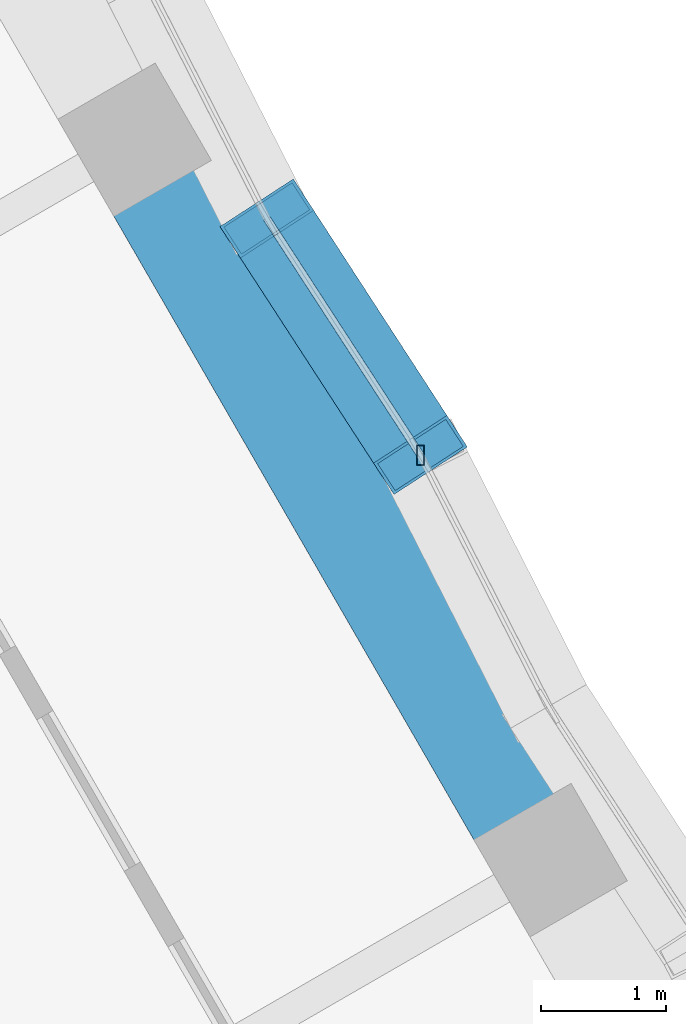
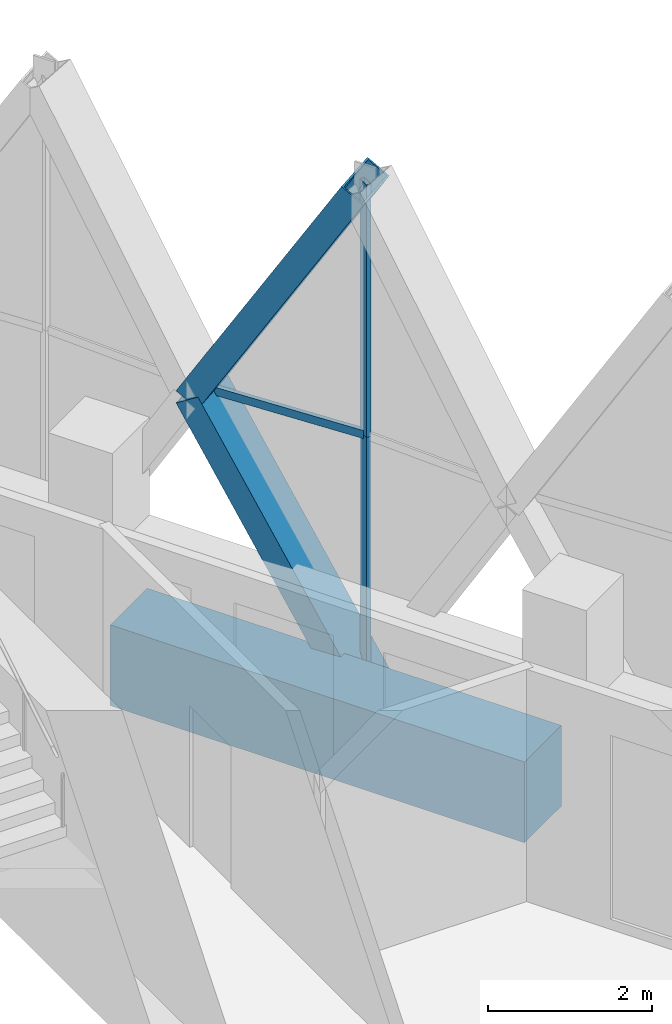
# One storey, part 13 of 27: 5 members, 1 beam, 2 elements without a shape of their own.
"""IFC4 building model written with IfcOpenShell, lengths in metres."""

import ifcopenshell
import ifcopenshell.guid

model = None  # the IFC model being written
_history = None  # IfcOwnerHistory: only IFC2X3 demands one
_inside = {}  # id of a spatial element -> (the spatial element, [elements in it])
_under = {}  # id of a project, library or spatial element -> (it, [spatial elements below it])
_declared = {}  # id of a project -> (the project, [libraries it declares])
_typed = {}  # id of a type object -> (the type object, [elements of that type])
_made_of = {}  # id of a material, layer set ... -> (it, [elements and type objects made of it])


def new_model(schema):
    """Start an empty IFC model of exactly this schema.

    Asked for "IFC4X3", IfcOpenShell would pick the latest addendum, in which some entities
    have other attributes; the version numbers below select the first issue.
    IFC2X3 requires an IfcOwnerHistory on every rooted entity: one is made here for all.
    """
    global model, _history
    if schema == "IFC4X3":
        model = ifcopenshell.file(schema_version=(4, 3, 0, 0))
    else:
        model = ifcopenshell.file(schema=schema)
    _inside.clear()
    _under.clear()
    _declared.clear()
    _typed.clear()
    _made_of.clear()
    _history = None
    if model.schema == "IFC2X3":
        org = make("IfcOrganization", Name="unknown")
        user = make(
            "IfcPersonAndOrganization",
            ThePerson=make("IfcPerson", FamilyName="unknown"),
            TheOrganization=org,
        )
        app = make(
            "IfcApplication",
            ApplicationDeveloper=org,
            Version="unknown",
            ApplicationFullName="unknown",
            ApplicationIdentifier="unknown",
        )
        _history = make(
            "IfcOwnerHistory",
            OwningUser=user,
            OwningApplication=app,
            ChangeAction="ADDED",
            CreationDate=0,
        )
    return model


def make(cls, **values):
    """One entity of the class cls with the attributes given. An attribute that is None is left unset."""
    return model.create_entity(
        cls, **{name: value for name, value in values.items() if value is not None}
    )


def rooted(cls, **values):
    """An entity with a GlobalId (a new one), such as an element, a storey or a relation."""
    return make(cls, GlobalId=ifcopenshell.guid.new(), OwnerHistory=_history, **values)


def si_unit(unit_type, name, prefix=None):
    """IfcSIUnit, for example si_unit("LENGTHUNIT", "METRE", prefix="MILLI")."""
    return make("IfcSIUnit", UnitType=unit_type, Prefix=prefix, Name=name)


def assignment(units):
    """IfcUnitAssignment: the units of a project."""
    return None if units is None else make("IfcUnitAssignment", Units=units)


def point(xyz):
    """IfcCartesianPoint."""
    return None if xyz is None else make("IfcCartesianPoint", Coordinates=xyz)


def direction(xyz):
    """IfcDirection."""
    return None if xyz is None else make("IfcDirection", DirectionRatios=xyz)


def frame(location, z_axis=None, x_axis=None):
    """IfcAxis2Placement3D, a coordinate frame: its origin and axes. An axis left out is left unset."""
    return make(
        "IfcAxis2Placement3D",
        Location=point(location),
        Axis=direction(z_axis),
        RefDirection=direction(x_axis),
    )


def frame_2d(location, x_axis=None):
    """IfcAxis2Placement2D, a coordinate frame in the plane: its origin and x axis."""
    return make(
        "IfcAxis2Placement2D", Location=point(location), RefDirection=direction(x_axis)
    )


def origin():
    """The frame at (0, 0, 0) with its axes left unset."""
    return frame((0.0, 0.0, 0.0))


def origin_2d():
    """The frame at (0, 0) in the plane with its x axis left unset."""
    return frame_2d((0.0, 0.0))


def place(relative_to, where):
    """IfcLocalPlacement: puts the frame where relative to a parent placement (None: the world)."""
    return make(
        "IfcLocalPlacement", PlacementRelTo=relative_to, RelativePlacement=where
    )


def context(
    kind, dimensions, precision=None, world=None, true_north=None, identifier=None
):
    """IfcGeometricRepresentationContext, for example the 3D "Model" context."""
    return make(
        "IfcGeometricRepresentationContext",
        ContextIdentifier=identifier,
        ContextType=kind,
        CoordinateSpaceDimension=dimensions,
        Precision=precision,
        WorldCoordinateSystem=world,
        TrueNorth=true_north,
    )


def subcontext(parent, identifier, kind, view, scale=None):
    """IfcGeometricRepresentationSubContext, for example "Body" below "Model"."""
    return make(
        "IfcGeometricRepresentationSubContext",
        ContextIdentifier=identifier,
        ContextType=kind,
        ParentContext=parent,
        TargetScale=scale,
        TargetView=view,
    )


def project(units=None, contexts=None):
    """IfcProject with its units and contexts."""
    return rooted(
        "IfcProject",
        Name="project",
        RepresentationContexts=contexts,
        UnitsInContext=assignment(units),
    )


def spatial(cls, under=None, at=None, **own):
    """A site, building, storey or space (cls), placed at a placement, below another one or the project."""
    s = rooted(cls, ObjectPlacement=at, **own)
    if under is not None:
        _under.setdefault(under.id(), (under, []))[1].append(s)
    return s


def profile(cls, at=None, kind="AREA", **sizes):
    """A parametric profile (cls). Its sizes go by their IFC names, for example OverallWidth=200.0."""
    return make(cls, ProfileType=kind, Position=at, **sizes)


def rectangle(**sizes):
    """IfcRectangleProfileDef."""
    return profile("IfcRectangleProfileDef", **sizes)


def hollow_rectangle(**sizes):
    """IfcRectangleHollowProfileDef."""
    return profile("IfcRectangleHollowProfileDef", **sizes)


def extrude(swept, where, along, depth):
    """IfcExtrudedAreaSolid: the profile swept, set in the frame where, extruded along a direction by depth."""
    return make(
        "IfcExtrudedAreaSolid",
        SweptArea=swept,
        Position=where,
        ExtrudedDirection=direction(along),
        Depth=depth,
    )


def shape(context_of_items, identifier, shape_type, items):
    """IfcShapeRepresentation: the items that make up one representation, for example the "Body"."""
    return make(
        "IfcShapeRepresentation",
        ContextOfItems=context_of_items,
        RepresentationIdentifier=identifier,
        RepresentationType=shape_type,
        Items=items,
    )


def material(Name=None, Category=None):
    """IfcMaterial."""
    return make("IfcMaterial", Name=Name, Category=Category)


def material_profile(
    of_material, cross_section, Name=None, Category=None, Priority=None
):
    """IfcMaterialProfile: a cross section and its material."""
    return make(
        "IfcMaterialProfile",
        Name=Name,
        Material=of_material,
        Profile=cross_section,
        Priority=Priority,
        Category=Category,
    )


def profile_set(profiles, Name=None, composite=None):
    """IfcMaterialProfileSet."""
    return make(
        "IfcMaterialProfileSet",
        Name=Name,
        MaterialProfiles=profiles,
        CompositeProfile=composite,
    )


def made_of(thing, what):
    """Note that an element or type object is made of a material, layer set ...; save() writes the relation."""
    if what is not None:
        _made_of.setdefault(what.id(), (what, []))[1].append(thing)
    return thing


def type_object(cls, material=None, **own):
    """A type object (cls), such as IfcWallType, which elements share."""
    return made_of(rooted(cls, **own), material)


def element(
    cls,
    number,
    at=None,
    inside=None,
    cuts=None,
    type_object=None,
    material=None,
    context=None,
    identifier="Body",
    shape_type=None,
    held_by="IfcProductDefinitionShape",
    body=None,
    shapes=None,
    **own,
):
    """One element of the class cls, such as IfcWall. Its Tag is "e" and its number.

    at: its placement. inside: the storey or other place that contains it. cuts: it is an
    opening in that element (IfcRelVoidsElement). A single representation is given by context,
    identifier, shape_type and body (its items); several are given by shapes. held_by: the class
    of the entity that holds the representations. save() writes the other relations.
    """
    e = rooted(cls, Tag="e%d" % number, ObjectPlacement=at, **own)
    if body is not None:
        shapes = [shape(context, identifier, shape_type, body)]
    if shapes is not None:
        e.Representation = make(held_by, Representations=shapes)
    if inside is not None:
        _inside.setdefault(inside.id(), (inside, []))[1].append(e)
    if cuts is not None:
        rooted(
            "IfcRelVoidsElement", RelatingBuildingElement=cuts, RelatedOpeningElement=e
        )
    if type_object is not None:
        _typed.setdefault(type_object.id(), (type_object, []))[1].append(e)
    return made_of(e, material)


def aggregate(whole, parts):
    """IfcRelAggregates: a whole, such as a stair, and the parts it consists of."""
    return rooted("IfcRelAggregates", RelatingObject=whole, RelatedObjects=parts)


def save(model, path):
    """Write the relations noted so far, then the file.

    IfcRelAggregates (storeys below a building ...), IfcRelContainedInSpatialStructure (elements
    in a storey), IfcRelDefinesByType, IfcRelAssociatesMaterial and IfcRelDeclares: one each for
    every whole, place, type object, material and project.
    """
    for whole, parts in _under.values():
        aggregate(whole, parts)
    for where, things in _inside.values():
        rooted(
            "IfcRelContainedInSpatialStructure",
            RelatedElements=things,
            RelatingStructure=where,
        )
    for kind, things in _typed.values():
        rooted("IfcRelDefinesByType", RelatedObjects=things, RelatingType=kind)
    for what, things in _made_of.values():
        rooted("IfcRelAssociatesMaterial", RelatedObjects=things, RelatingMaterial=what)
    for by, libraries in _declared.values():
        rooted("IfcRelDeclares", RelatingContext=by, RelatedDefinitions=libraries)
    model.write(path)


model = new_model("IFC4")

# Units and contexts
model_context = context("Model", 3, precision=1e-05, world=origin(), true_north=direction((0.0, 1.0)))
body_context = subcontext(model_context, "Body", "Model", "MODEL_VIEW")
ifc_project = project(units=[si_unit("LENGTHUNIT", "METRE"), si_unit("AREAUNIT", "SQUARE_METRE"), si_unit("VOLUMEUNIT", "CUBIC_METRE"), si_unit("PLANEANGLEUNIT", "RADIAN"), si_unit("MASSUNIT", "GRAM", prefix="KILO")], contexts=[model_context])

# Site, building, storey
site_placement = place(None, origin())
site = spatial("IfcSite", under=ifc_project, at=site_placement, CompositionType="ELEMENT")
building_placement = place(site_placement, origin())
building = spatial("IfcBuilding", under=site, at=building_placement, Name="Ostrander Bayou Hotel Tower", CompositionType="ELEMENT")
storey_placement = place(building_placement, frame((0.0, 0.0, 267.5)))
storey = spatial("IfcBuildingStorey", under=building, at=storey_placement, Name="L66", CompositionType="ELEMENT", Elevation=267.5)

# Curtain wall, members
ifc_material_1 = material(Name="Aluminium and clear glass", Category="aluminium")
curtain_wall_type = type_object("IfcCurtainWallType", Name="CW-LAT lattice glazing", PredefinedType="NOTDEFINED", material=ifc_material_1)
curtain_wall_1_placement = place(storey_placement, origin())
curtain_wall_1 = element("IfcCurtainWall", 1, at=curtain_wall_1_placement, inside=storey, type_object=curtain_wall_type, Name="CW-LAT L66 NE 1", PredefinedType="NOTDEFINED")
ifc_material_2 = material(Name="Aluminium", Category="aluminium")
ifc_material_profile_1 = material_profile(ifc_material_2, hollow_rectangle(XDim=0.06005859375, YDim=0.159912109375, WallThickness=0.00390625, at=origin_2d()))
ifc_profile_set_1 = profile_set([ifc_material_profile_1], Name="Aluminium")
member_type_1 = type_object("IfcMemberType", Name="CW-LA mullion 60 x 160 mm", PredefinedType="MULLION", material=ifc_profile_set_1)
member_1_placement = place(storey_placement, frame((14.214599609375, 8.206787109375, -0.60009765625), z_axis=(0.0, 0.0, 1.0), x_axis=(1.0, 0.0, 0.0)))
member_1 = element("IfcMember", 2, at=member_1_placement, type_object=member_type_1, Name="CW-LAT mullion 8", PredefinedType="MULLION", context=body_context, shape_type="SweptSolid", body=[
    extrude(hollow_rectangle(XDim=0.06005859375, YDim=0.159912109375, WallThickness=0.00390625, at=origin_2d()), origin(), (0.0, 0.0, 1.0), 3.75),
])
member_2_placement = place(storey_placement, frame((14.214599609375, 8.206787109375, 3.14990234375), z_axis=(0.0, 0.0, 1.0), x_axis=(1.0, 0.0, 0.0)))
member_2 = element("IfcMember", 3, at=member_2_placement, type_object=member_type_1, Name="CW-LAT mullion 9", PredefinedType="MULLION", context=body_context, shape_type="SweptSolid", body=[
    extrude(hollow_rectangle(XDim=0.06005859375, YDim=0.159912109375, WallThickness=0.00390625, at=origin_2d()), origin(), (0.0, 0.0, 1.0), 3.75),
])
aggregate(curtain_wall_1, [member_1, member_2])

# Curtain wall, member
curtain_wall_2_placement = place(storey_placement, origin())
curtain_wall_2 = element("IfcCurtainWall", 4, at=curtain_wall_2_placement, inside=storey, type_object=curtain_wall_type, Name="CW-LAT L66 NE 2", PredefinedType="NOTDEFINED")
ifc_material_3 = material(Name="Aluminium", Category="aluminium")
ifc_material_profile_2 = material_profile(ifc_material_3, hollow_rectangle(XDim=0.06005859375, YDim=0.1201171875, WallThickness=0.00390625, at=origin_2d()))
ifc_profile_set_2 = profile_set([ifc_material_profile_2], Name="Aluminium")
member_type_2 = type_object("IfcMemberType", Name="CW-LA transom 60 x 120 mm", PredefinedType="USERDEFINED", material=ifc_profile_set_2)
member_3_placement = place(storey_placement, frame((14.214599609375, 8.206787109375, 3.14990234375), z_axis=(-0.544680501254, 0.838643637997, 0.0), x_axis=(-0.838643637997, -0.544680501254, 0.0)))
member_3 = element("IfcMember", 5, at=member_3_placement, type_object=member_type_2, Name="CW-LAT transom 11", ObjectType="TRANSOM", PredefinedType="USERDEFINED", context=body_context, shape_type="SweptSolid", body=[
    extrude(hollow_rectangle(XDim=0.06005859375, YDim=0.1201171875, WallThickness=0.00390625, at=origin_2d()), origin(), (0.0, 0.0, 1.0), 2.258056640625),
])
aggregate(curtain_wall_2, [member_3])

# Members
ifc_material_4 = material(Name="Steel ASTM A572 Gr 50", Category="steel")
ifc_material_profile_3 = material_profile(ifc_material_4, hollow_rectangle(XDim=0.699951171875, YDim=0.35009765625, WallThickness=0.02490234375, at=origin_2d()))
ifc_profile_set_3 = profile_set([ifc_material_profile_3], Name="Steel ASTM A572 Gr 50")
member_type_3 = type_object("IfcMemberType", Name="LT1 lattice member box 700 x 350 x 25 mm", PredefinedType="BRACE", material=ifc_profile_set_3)
for number, where, z_axis, x_axis, name in (
    (6, (12.984619140625, 10.1005859375, 3.14990234375), (0.280982821776, -0.432628771043, -0.856668547533), (0.838643637997, 0.544680501254, 0.0), "LT1 L66 NE 9"),
    (7, (12.984619140625, 10.1005859375, 3.14990234375), (0.280982821776, -0.432628771043, 0.856668547533), (0.838643637997, 0.544680501254, 0.0), "LT1 L66 NE 10"),
):
    element("IfcMember", number, at=place(storey_placement, frame(where, z_axis=z_axis, x_axis=x_axis)), inside=storey, type_object=member_type_3, Name=name, PredefinedType="BRACE", context=body_context, shape_type="SweptSolid", body=[
        extrude(hollow_rectangle(XDim=0.699951171875, YDim=0.35009765625, WallThickness=0.02490234375, at=origin_2d()), origin(), (0.0, 0.0, 1.0), 4.37744140625),
    ])

# Beam
ifc_material_5 = material(Name="Concrete f'c 60 MPa", Category="concrete")
ifc_material_profile_4 = material_profile(ifc_material_5, rectangle(XDim=0.89990234375, YDim=1.199951171875, at=origin_2d()))
ifc_profile_set_4 = profile_set([ifc_material_profile_4], Name="Concrete f'c 60 MPa")
beam_type = type_object("IfcBeamType", Name="SP4 spandrel beam 900 x 1200 mm f'c 60 MPa", PredefinedType="SPANDREL", material=ifc_profile_set_4)
beam_placement = place(storey_placement, frame((15.045654296875, 5.3271484375, -0.60009765625), z_axis=(-0.499997265274, 0.866026982673, 0.0), x_axis=(-0.866026982673, -0.499997265274, 0.0)))
element("IfcBeam", 8, at=beam_placement, inside=storey, type_object=beam_type, Name="SP4 L66 NE-2", PredefinedType="SPANDREL", context=body_context, shape_type="SweptSolid", body=[
    extrude(rectangle(XDim=0.89990234375, YDim=1.199951171875, at=origin_2d()), origin(), (0.0, 0.0, 1.0), 5.81884765625),
])

save(model, "model.ifc")
